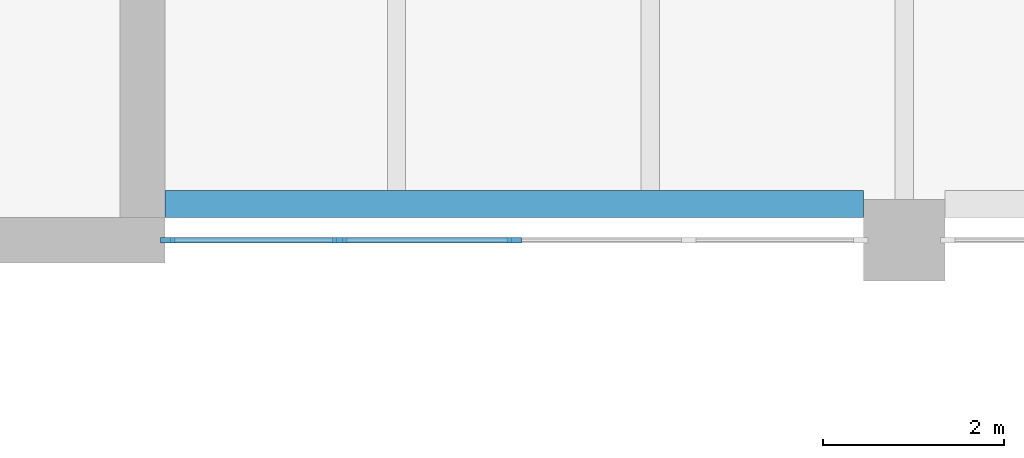
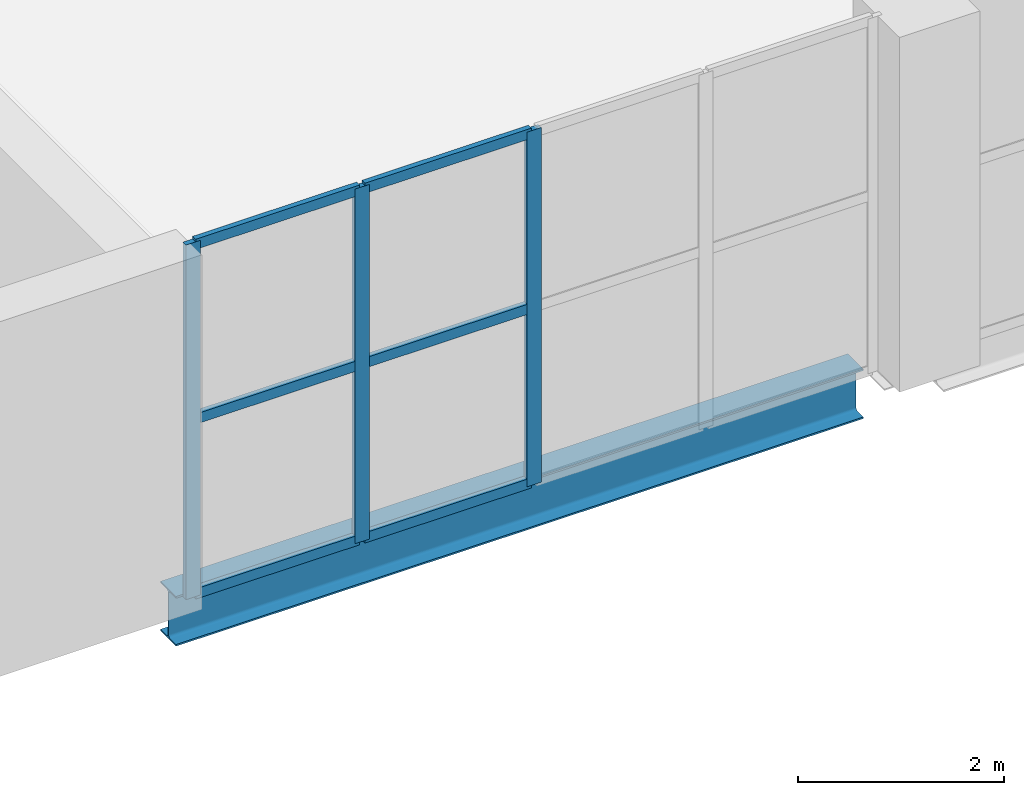
# One storey, part 23 of 88: 9 members, 1 beam, 1 element without a shape of its own.
"""IFC4 building model written with IfcOpenShell, lengths in metres."""

from ifc_helpers import new_model, si_unit, direction, frame, origin, origin_2d, place, context, subcontext, project, spatial, rectangle, i_section, extrude, material, layer, layer_set, material_profile, profile_set, type_object, element, aggregate, save


model = new_model("IFC4")

# Units and contexts
model_context = context("Model", 3, precision=1e-05, world=origin(), true_north=direction((0.0, 1.0)))
body_context = subcontext(model_context, "Body", "Model", "MODEL_VIEW")
ifc_project = project(units=[si_unit("LENGTHUNIT", "METRE"), si_unit("AREAUNIT", "SQUARE_METRE"), si_unit("VOLUMEUNIT", "CUBIC_METRE"), si_unit("PLANEANGLEUNIT", "RADIAN"), si_unit("MASSUNIT", "GRAM", prefix="KILO")], contexts=[model_context])

# Site, building, storey
site_placement = place(None, origin())
site = spatial("IfcSite", under=ifc_project, at=site_placement, CompositionType="ELEMENT")
building_placement = place(site_placement, origin())
building = spatial("IfcBuilding", under=site, at=building_placement, Name="Cresset Court Congress Hotel", CompositionType="ELEMENT")
storey_placement = place(building_placement, frame((0.0, 0.0, 14.39990234375)))
storey = spatial("IfcBuildingStorey", under=building, at=storey_placement, Name="L03", CompositionType="ELEMENT", Elevation=14.39990234375)

# Curtain wall, members
ifc_material_1 = material(Name="Aluminium and glass", Category="aluminium")
ifc_layer = layer(ifc_material_1, 0.199951171875)
ifc_layer_set = layer_set([ifc_layer], Name="Foyer curtain wall 1925 module")
curtain_wall_type = type_object("IfcCurtainWallType", Name="Foyer curtain wall 1925 module", PredefinedType="NOTDEFINED", material=ifc_layer_set)
curtain_wall_placement = place(storey_placement, origin())
curtain_wall = element("IfcCurtainWall", 1, at=curtain_wall_placement, inside=storey, type_object=curtain_wall_type, Name="Curtain wall CX-031", PredefinedType="NOTDEFINED")
ifc_material_2 = material(Name="Anodised aluminium", Category="aluminium")
ifc_material_profile_1 = material_profile(ifc_material_2, rectangle(XDim=0.06005859375, YDim=0.159912109375, at=origin_2d()), Name="AL60x160")
ifc_profile_set_1 = profile_set([ifc_material_profile_1], Name="Anodised aluminium")
member_type_1 = type_object("IfcMemberType", Name="Curtain wall mullion 60x160", PredefinedType="MULLION", material=ifc_profile_set_1)
member_1_placement = place(storey_placement, frame((67.47998046875, 58.800048828125, 0.0), z_axis=(0.0, 0.0, 1.0), x_axis=(0.0, 1.0, 0.0)))
member_1 = element("IfcMember", 2, at=member_1_placement, type_object=member_type_1, Name="C-X1 mullion 1", PredefinedType="MULLION", context=body_context, shape_type="SweptSolid", body=[
    extrude(rectangle(XDim=0.06005859375, YDim=0.159912109375, at=origin_2d()), origin(), (0.0, 0.0, 1.0), 4.2001953125),
])
member_2_placement = place(storey_placement, frame((69.375, 58.800048828125, 0.0), z_axis=(0.0, 0.0, 1.0), x_axis=(0.0, 1.0, 0.0)))
member_2 = element("IfcMember", 3, at=member_2_placement, type_object=member_type_1, Name="C-X1 mullion 2", PredefinedType="MULLION", context=body_context, shape_type="SweptSolid", body=[
    extrude(rectangle(XDim=0.06005859375, YDim=0.159912109375, at=origin_2d()), origin(), (0.0, 0.0, 1.0), 4.2001953125),
])
member_3_placement = place(storey_placement, frame((71.300048828125, 58.800048828125, 0.0), z_axis=(0.0, 0.0, 1.0), x_axis=(0.0, 1.0, 0.0)))
member_3 = element("IfcMember", 4, at=member_3_placement, type_object=member_type_1, Name="C-X1 mullion 3", PredefinedType="MULLION", context=body_context, shape_type="SweptSolid", body=[
    extrude(rectangle(XDim=0.06005859375, YDim=0.159912109375, at=origin_2d()), origin(), (0.0, 0.0, 1.0), 4.2001953125),
])
ifc_material_3 = material(Name="Anodised aluminium", Category="aluminium")
ifc_material_profile_2 = material_profile(ifc_material_3, rectangle(XDim=0.06005859375, YDim=0.1201171875, at=origin_2d()), Name="AL60x120")
ifc_profile_set_2 = profile_set([ifc_material_profile_2], Name="Anodised aluminium")
member_type_2 = type_object("IfcMemberType", Name="Curtain wall transom 60x120", PredefinedType="USERDEFINED", material=ifc_profile_set_2)
member_4_placement = place(storey_placement, frame((67.510009765625, 58.800048828125, 0.030029296875), z_axis=(1.0, 0.0, 0.0), x_axis=(0.0, 1.0, 0.0)))
member_4 = element("IfcMember", 5, at=member_4_placement, type_object=member_type_2, Name="C-X1 transom 1.1", ObjectType="TRANSOM", PredefinedType="USERDEFINED", context=body_context, shape_type="SweptSolid", body=[
    extrude(rectangle(XDim=0.06005859375, YDim=0.1201171875, at=origin_2d()), origin(), (0.0, 0.0, 1.0), 1.8349609375),
])
member_5_placement = place(storey_placement, frame((67.510009765625, 58.800048828125, 2.10009765625), z_axis=(1.0, 0.0, 0.0), x_axis=(0.0, 1.0, 0.0)))
member_5 = element("IfcMember", 6, at=member_5_placement, type_object=member_type_2, Name="C-X1 transom 1.2", ObjectType="TRANSOM", PredefinedType="USERDEFINED", context=body_context, shape_type="SweptSolid", body=[
    extrude(rectangle(XDim=0.06005859375, YDim=0.1201171875, at=origin_2d()), origin(), (0.0, 0.0, 1.0), 1.8349609375),
])
member_6_placement = place(storey_placement, frame((67.510009765625, 58.800048828125, 4.170166015625), z_axis=(1.0, 0.0, 0.0), x_axis=(0.0, 1.0, 0.0)))
member_6 = element("IfcMember", 7, at=member_6_placement, type_object=member_type_2, Name="C-X1 transom 1.3", ObjectType="TRANSOM", PredefinedType="USERDEFINED", context=body_context, shape_type="SweptSolid", body=[
    extrude(rectangle(XDim=0.06005859375, YDim=0.1201171875, at=origin_2d()), origin(), (0.0, 0.0, 1.0), 1.8349609375),
])
member_7_placement = place(storey_placement, frame((69.405029296875, 58.800048828125, 0.030029296875), z_axis=(1.0, 0.0, 0.0), x_axis=(0.0, 1.0, 0.0)))
member_7 = element("IfcMember", 8, at=member_7_placement, type_object=member_type_2, Name="C-X1 transom 2.1", ObjectType="TRANSOM", PredefinedType="USERDEFINED", context=body_context, shape_type="SweptSolid", body=[
    extrude(rectangle(XDim=0.06005859375, YDim=0.1201171875, at=origin_2d()), origin(), (0.0, 0.0, 1.0), 1.864990234375),
])
member_8_placement = place(storey_placement, frame((69.405029296875, 58.800048828125, 2.10009765625), z_axis=(1.0, 0.0, 0.0), x_axis=(0.0, 1.0, 0.0)))
member_8 = element("IfcMember", 9, at=member_8_placement, type_object=member_type_2, Name="C-X1 transom 2.2", ObjectType="TRANSOM", PredefinedType="USERDEFINED", context=body_context, shape_type="SweptSolid", body=[
    extrude(rectangle(XDim=0.06005859375, YDim=0.1201171875, at=origin_2d()), origin(), (0.0, 0.0, 1.0), 1.864990234375),
])
member_9_placement = place(storey_placement, frame((69.405029296875, 58.800048828125, 4.170166015625), z_axis=(1.0, 0.0, 0.0), x_axis=(0.0, 1.0, 0.0)))
member_9 = element("IfcMember", 10, at=member_9_placement, type_object=member_type_2, Name="C-X1 transom 2.3", ObjectType="TRANSOM", PredefinedType="USERDEFINED", context=body_context, shape_type="SweptSolid", body=[
    extrude(rectangle(XDim=0.06005859375, YDim=0.1201171875, at=origin_2d()), origin(), (0.0, 0.0, 1.0), 1.864990234375),
])
aggregate(curtain_wall, [member_1, member_2, member_3, member_4, member_5, member_6, member_7, member_8, member_9])

# Beam
ifc_material_4 = material(Name="Structural steel Q355B", Category="steel")
ifc_material_profile_3 = material_profile(ifc_material_4, i_section(OverallWidth=0.300048828125, OverallDepth=0.587890625, WebThickness=0.011962890625, FlangeThickness=0.02001953125, FilletRadius=0.028076171875, at=origin_2d()), Name="HM588x300x12x20")
ifc_profile_set_3 = profile_set([ifc_material_profile_3], Name="Structural steel Q355B")
beam_type = type_object("IfcBeamType", Name="Steel HM588x300x12x20 girder", PredefinedType="BEAM", material=ifc_profile_set_3)
beam_placement = place(storey_placement, frame((67.449951171875, 59.199951171875, -0.44384765625), z_axis=(1.0, 0.0, 0.0), x_axis=(0.0, 1.0, 0.0)))
element("IfcBeam", 11, at=beam_placement, inside=storey, type_object=beam_type, Name="Girder CG-F035", PredefinedType="BEAM", context=body_context, shape_type="SweptSolid", body=[
    extrude(i_section(OverallWidth=0.300048828125, OverallDepth=0.587890625, WebThickness=0.011962890625, FlangeThickness=0.02001953125, FilletRadius=0.028076171875, at=origin_2d()), origin(), (0.0, 0.0, 1.0), 7.699951171875),
])

save(model, "model.ifc")
